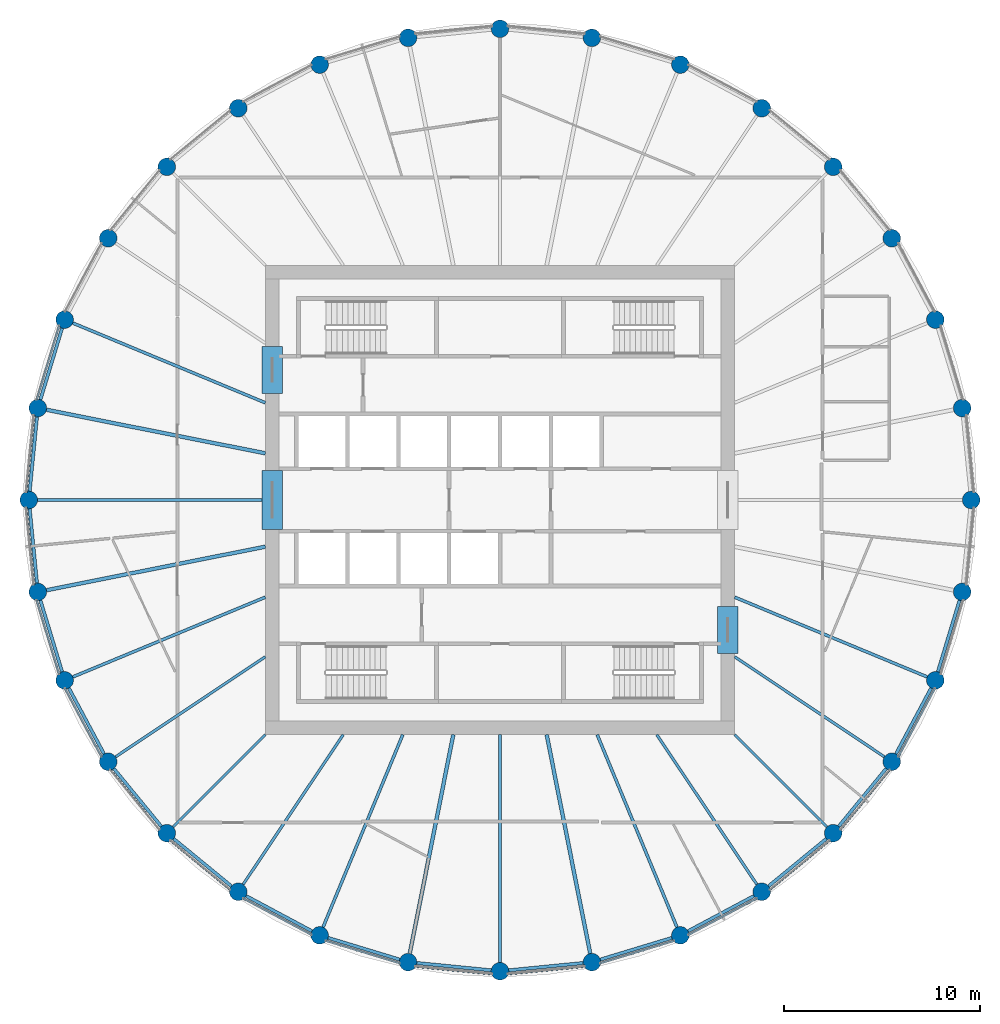
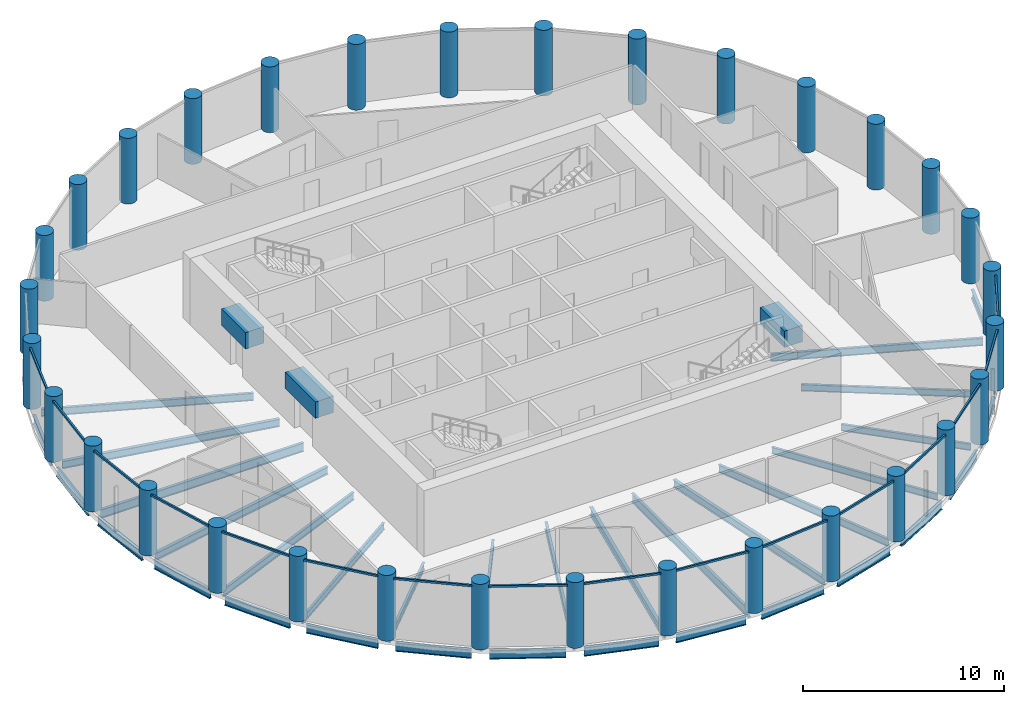
# One storey, part 1 of 7: 37 beams, 32 columns, 16 members, 16 elements without a shape of their own.
"""IFC4 building model written with IfcOpenShell, lengths in metres."""

from ifc_helpers import new_model, si_unit, direction, frame, origin, origin_2d, place, context, subcontext, project, spatial, rectangle, circle, i_section, extrude, material, material_profile, profile_set, type_object, element, aggregate, save


model = new_model("IFC4")

# Units and contexts
model_context = context("Model", 3, precision=1e-05, world=origin(), true_north=direction((0.0, 1.0)))
body_context = subcontext(model_context, "Body", "Model", "MODEL_VIEW")
ifc_project = project(units=[si_unit("LENGTHUNIT", "METRE"), si_unit("AREAUNIT", "SQUARE_METRE"), si_unit("VOLUMEUNIT", "CUBIC_METRE"), si_unit("PLANEANGLEUNIT", "RADIAN"), si_unit("MASSUNIT", "GRAM", prefix="KILO")], contexts=[model_context])

# Site, building, storey
site_placement = place(None, origin())
site = spatial("IfcSite", under=ifc_project, at=site_placement, CompositionType="ELEMENT")
building_placement = place(site_placement, origin())
building = spatial("IfcBuilding", under=site, at=building_placement, Name="Corvane Civic Tower", CompositionType="ELEMENT")
storey_placement = place(building_placement, frame((0.0, 0.0, 283.0)))
storey = spatial("IfcBuildingStorey", under=building, at=storey_placement, Name="L67", CompositionType="ELEMENT", Elevation=283.0)

# Columns
ifc_material_1 = material(Name="Concrete C60/75", Category="concrete")
ifc_material_profile_1 = material_profile(ifc_material_1, circle(Radius=0.449951171875, at=origin_2d()), Name="COLUMN 900")
ifc_profile_set_1 = profile_set([ifc_material_profile_1], Name="Concrete C60/75")
column_type = type_object("IfcColumnType", Name="RC COLUMN COLUMN 900", PredefinedType="COLUMN", material=ifc_profile_set_1)
for number, where, z_axis, x_axis, name in (
    (1, (0.0, 24.10009765625, 0.0), (0.0, 0.0, 1.0), (1.0, 0.0, 0.0), "COL-L67-E01"),
    (2, (4.70166015625, 23.636962890625, 0.0), (0.0, 0.0, 1.0), (1.0, 0.0, 0.0), "COL-L67-E02"),
    (3, (9.22265625, 22.265380859375, 0.0), (0.0, 0.0, 1.0), (1.0, 0.0, 0.0), "COL-L67-E03"),
    (4, (13.38916015625, 20.038330078125, 0.0), (0.0, 0.0, 1.0), (1.0, 0.0, 0.0), "COL-L67-E04"),
    (5, (17.041259765625, 17.041259765625, 0.0), (0.0, 0.0, 1.0), (1.0, 0.0, 0.0), "COL-L67-E05"),
    (6, (20.038330078125, 13.38916015625, 0.0), (0.0, 0.0, 1.0), (1.0, 0.0, 0.0), "COL-L67-E06"),
    (7, (22.265380859375, 9.22265625, 0.0), (0.0, 0.0, 1.0), (1.0, 0.0, 0.0), "COL-L67-E07"),
    (8, (23.636962890625, 4.70166015625, 0.0), (0.0, 0.0, 1.0), (1.0, 0.0, 0.0), "COL-L67-E08"),
    (9, (24.10009765625, 0.0, 0.0), (0.0, 0.0, 1.0), (1.0, 0.0, 0.0), "COL-L67-E09"),
    (10, (23.636962890625, -4.70166015625, 0.0), (0.0, 0.0, 1.0), (1.0, 0.0, 0.0), "COL-L67-E10"),
    (11, (22.265380859375, -9.22265625, 0.0), (0.0, 0.0, 1.0), (1.0, 0.0, 0.0), "COL-L67-E11"),
    (12, (20.038330078125, -13.38916015625, 0.0), (0.0, 0.0, 1.0), (1.0, 0.0, 0.0), "COL-L67-E12"),
    (13, (17.041259765625, -17.041259765625, 0.0), (0.0, 0.0, 1.0), (1.0, 0.0, 0.0), "COL-L67-E13"),
    (14, (13.38916015625, -20.038330078125, 0.0), (0.0, 0.0, 1.0), (1.0, 0.0, 0.0), "COL-L67-E14"),
    (15, (9.22265625, -22.265380859375, 0.0), (0.0, 0.0, 1.0), (1.0, 0.0, 0.0), "COL-L67-E15"),
    (16, (4.70166015625, -23.636962890625, 0.0), (0.0, 0.0, 1.0), (1.0, 0.0, 0.0), "COL-L67-E16"),
    (17, (0.0, -24.10009765625, 0.0), (0.0, 0.0, 1.0), (1.0, 0.0, 0.0), "COL-L67-E17"),
    (18, (-4.70166015625, -23.636962890625, 0.0), (0.0, 0.0, 1.0), (1.0, 0.0, 0.0), "COL-L67-E18"),
    (19, (-9.22265625, -22.265380859375, 0.0), (0.0, 0.0, 1.0), (1.0, 0.0, 0.0), "COL-L67-E19"),
    (20, (-13.38916015625, -20.038330078125, 0.0), (0.0, 0.0, 1.0), (1.0, 0.0, 0.0), "COL-L67-E20"),
    (21, (-17.041259765625, -17.041259765625, 0.0), (0.0, 0.0, 1.0), (1.0, 0.0, 0.0), "COL-L67-E21"),
    (22, (-20.038330078125, -13.38916015625, 0.0), (0.0, 0.0, 1.0), (1.0, 0.0, 0.0), "COL-L67-E22"),
    (23, (-22.265380859375, -9.22265625, 0.0), (0.0, 0.0, 1.0), (1.0, 0.0, 0.0), "COL-L67-E23"),
    (24, (-23.636962890625, -4.70166015625, 0.0), (0.0, 0.0, 1.0), (1.0, 0.0, 0.0), "COL-L67-E24"),
    (25, (-24.10009765625, 0.0, 0.0), (0.0, 0.0, 1.0), (1.0, 0.0, 0.0), "COL-L67-E25"),
    (26, (-23.636962890625, 4.70166015625, 0.0), (0.0, 0.0, 1.0), (1.0, 0.0, 0.0), "COL-L67-E26"),
    (27, (-22.265380859375, 9.22265625, 0.0), (0.0, 0.0, 1.0), (1.0, 0.0, 0.0), "COL-L67-E27"),
    (28, (-20.038330078125, 13.38916015625, 0.0), (0.0, 0.0, 1.0), (1.0, 0.0, 0.0), "COL-L67-E28"),
    (29, (-17.041259765625, 17.041259765625, 0.0), (0.0, 0.0, 1.0), (1.0, 0.0, 0.0), "COL-L67-E29"),
    (30, (-13.38916015625, 20.038330078125, 0.0), (0.0, 0.0, 1.0), (1.0, 0.0, 0.0), "COL-L67-E30"),
    (31, (-9.22265625, 22.265380859375, 0.0), (0.0, 0.0, 1.0), (1.0, 0.0, 0.0), "COL-L67-E31"),
    (32, (-4.70166015625, 23.636962890625, 0.0), (0.0, 0.0, 1.0), (1.0, 0.0, 0.0), "COL-L67-E32"),
):
    element("IfcColumn", number, at=place(storey_placement, frame(where, z_axis=z_axis, x_axis=x_axis)), inside=storey, type_object=column_type, Name=name, PredefinedType="COLUMN", context=body_context, shape_type="SweptSolid", body=[
        extrude(circle(Radius=0.449951171875, at=origin_2d()), origin(), (0.0, 0.0, 1.0), 4.0),
    ])

# Beams
ifc_material_2 = material(Name="Concrete C40/50", Category="concrete")
ifc_material_profile_2 = material_profile(ifc_material_2, rectangle(XDim=1.050048828125, YDim=1.0, at=origin_2d()), Name="COUPLING BEAM 1050X1000")
ifc_profile_set_2 = profile_set([ifc_material_profile_2], Name="Concrete C40/50")
beam_type_1 = type_object("IfcBeamType", Name="COUPLING BEAM COUPLING BEAM 1050X1000", PredefinedType="BEAM", material=ifc_profile_set_2)
beam_1_placement = place(storey_placement, frame((-11.64990234375, -1.5, 2.60009765625), z_axis=(0.0, 1.0, 0.0), x_axis=(-1.0, 0.0, 0.0)))
element("IfcBeam", 33, at=beam_1_placement, inside=storey, type_object=beam_type_1, Name="BM-L67-cpl-CW-LW", PredefinedType="BEAM", context=body_context, shape_type="SweptSolid", body=[
    extrude(rectangle(XDim=1.050048828125, YDim=1.0, at=origin_2d()), origin(), (0.0, 0.0, 1.0), 3.0),
])
for number, where, z_axis, x_axis, name in (
    (34, (-11.64990234375, 5.449951171875, 2.60009765625), (0.0, 1.0, 0.0), (-1.0, 0.0, 0.0), "BM-L67-cpl-CW-WN"),
    (35, (11.64990234375, -7.85009765625, 2.60009765625), (0.0, 1.0, 0.0), (-1.0, 0.0, 0.0), "BM-L67-cpl-CW-ES"),
):
    element("IfcBeam", number, at=place(storey_placement, frame(where, z_axis=z_axis, x_axis=x_axis)), inside=storey, type_object=beam_type_1, Name=name, PredefinedType="BEAM", context=body_context, shape_type="SweptSolid", body=[
        extrude(rectangle(XDim=1.050048828125, YDim=1.0, at=origin_2d()), origin(), (0.0, 0.0, 1.0), 2.400146484375),
    ])
ifc_material_3 = material(Name="Steel ASTM A992 Gr 50", Category="steel")
ifc_material_profile_3 = material_profile(ifc_material_3, i_section(OverallWidth=0.165771484375, OverallDepth=0.5283203125, WebThickness=0.009765625, FlangeThickness=0.013671875, at=origin_2d()), Name="W21X50")
ifc_profile_set_3 = profile_set([ifc_material_profile_3], Name="Steel ASTM A992 Gr 50")
beam_type_2 = type_object("IfcBeamType", Name="EDGE BEAM W21X50", PredefinedType="BEAM", material=ifc_profile_set_3)
beam_2_placement = place(storey_placement, frame((23.50634765625, -5.13232421875, -0.564208984375), z_axis=(-0.290333385085, -0.95692555902, 0.0), x_axis=(0.95692555902, -0.290333385085, 0.0)))
element("IfcBeam", 36, at=beam_2_placement, inside=storey, type_object=beam_type_2, Name="BM-L67-E10", PredefinedType="BEAM", context=body_context, shape_type="SweptSolid", body=[
    extrude(i_section(OverallWidth=0.165771484375, OverallDepth=0.5283203125, WebThickness=0.009765625, FlangeThickness=0.013671875, at=origin_2d()), origin(), (0.0, 0.0, 1.0), 3.824462890625),
])
beam_3_placement = place(storey_placement, frame((22.05322265625, -9.61962890625, -0.564208984375), z_axis=(-0.471409804487, -0.881914279413, 0.0), x_axis=(0.881914279413, -0.471409804487, 0.0)))
element("IfcBeam", 37, at=beam_3_placement, inside=storey, type_object=beam_type_2, Name="BM-L67-E11", PredefinedType="BEAM", context=body_context, shape_type="SweptSolid", body=[
    extrude(i_section(OverallWidth=0.165771484375, OverallDepth=0.5283203125, WebThickness=0.009765625, FlangeThickness=0.013671875, at=origin_2d()), origin(), (0.0, 0.0, 1.0), 3.82421875),
])
for number, where, z_axis, x_axis, name in (
    (38, (19.7529296875, -13.737060546875, -0.564208984375), (-0.634408562057, -0.772997914867, 0.0), (0.772997914867, -0.634408562057, 0.0), "BM-L67-E12"),
    (39, (16.693359375, -17.32666015625, -0.564208984375), (-0.772997914867, -0.634408562057, 0.0), (0.634408562057, -0.772997914867, 0.0), "BM-L67-E13"),
):
    element("IfcBeam", number, at=place(storey_placement, frame(where, z_axis=z_axis, x_axis=x_axis)), inside=storey, type_object=beam_type_2, Name=name, PredefinedType="BEAM", context=body_context, shape_type="SweptSolid", body=[
        extrude(i_section(OverallWidth=0.165771484375, OverallDepth=0.5283203125, WebThickness=0.009765625, FlangeThickness=0.013671875, at=origin_2d()), origin(), (0.0, 0.0, 1.0), 3.824462890625),
    ])
beam_4_placement = place(storey_placement, frame((12.9921875, -20.25048828125, -0.564208984375), z_axis=(-0.881914279413, -0.471409804487, 0.0), x_axis=(0.471409804487, -0.881914279413, 0.0)))
element("IfcBeam", 40, at=beam_4_placement, inside=storey, type_object=beam_type_2, Name="BM-L67-E14", PredefinedType="BEAM", context=body_context, shape_type="SweptSolid", body=[
    extrude(i_section(OverallWidth=0.165771484375, OverallDepth=0.5283203125, WebThickness=0.009765625, FlangeThickness=0.013671875, at=origin_2d()), origin(), (0.0, 0.0, 1.0), 3.82421875),
])
for number, where, z_axis, x_axis, name in (
    (41, (8.7919921875, -22.39599609375, -0.564208984375), (-0.95692555902, -0.290333385085, 0.0), (0.290333385085, -0.95692555902, 0.0), "BM-L67-E15"),
    (42, (4.25390625, -23.68115234375, -0.564208984375), (-0.995187721162, -0.097986732007, 0.0), (0.097986732007, -0.995187721162, 0.0), "BM-L67-E16"),
    (43, (-0.44775390625, -24.055908203125, -0.564208984375), (-0.995187721162, 0.097986732007, 0.0), (-0.097986732007, -0.995187721162, 0.0), "BM-L67-E17"),
    (44, (-5.13232421875, -23.50634765625, -0.564208984375), (-0.95692555902, 0.290333385085, 0.0), (-0.290333385085, -0.95692555902, 0.0), "BM-L67-E18"),
):
    element("IfcBeam", number, at=place(storey_placement, frame(where, z_axis=z_axis, x_axis=x_axis)), inside=storey, type_object=beam_type_2, Name=name, PredefinedType="BEAM", context=body_context, shape_type="SweptSolid", body=[
        extrude(i_section(OverallWidth=0.165771484375, OverallDepth=0.5283203125, WebThickness=0.009765625, FlangeThickness=0.013671875, at=origin_2d()), origin(), (0.0, 0.0, 1.0), 3.824462890625),
    ])
beam_5_placement = place(storey_placement, frame((-9.61962890625, -22.05322265625, -0.564208984375), z_axis=(-0.881914279413, 0.471409804487, 0.0), x_axis=(-0.471409804487, -0.881914279413, 0.0)))
element("IfcBeam", 45, at=beam_5_placement, inside=storey, type_object=beam_type_2, Name="BM-L67-E19", PredefinedType="BEAM", context=body_context, shape_type="SweptSolid", body=[
    extrude(i_section(OverallWidth=0.165771484375, OverallDepth=0.5283203125, WebThickness=0.009765625, FlangeThickness=0.013671875, at=origin_2d()), origin(), (0.0, 0.0, 1.0), 3.82421875),
])
for number, where, z_axis, x_axis, name in (
    (46, (-13.737060546875, -19.7529296875, -0.564208984375), (-0.772997914867, 0.634408562057, 0.0), (-0.634408562057, -0.772997914867, 0.0), "BM-L67-E20"),
    (47, (-17.32666015625, -16.693359375, -0.564208984375), (-0.634408562057, 0.772997914867, 0.0), (-0.772997914867, -0.634408562057, 0.0), "BM-L67-E21"),
):
    element("IfcBeam", number, at=place(storey_placement, frame(where, z_axis=z_axis, x_axis=x_axis)), inside=storey, type_object=beam_type_2, Name=name, PredefinedType="BEAM", context=body_context, shape_type="SweptSolid", body=[
        extrude(i_section(OverallWidth=0.165771484375, OverallDepth=0.5283203125, WebThickness=0.009765625, FlangeThickness=0.013671875, at=origin_2d()), origin(), (0.0, 0.0, 1.0), 3.824462890625),
    ])
beam_6_placement = place(storey_placement, frame((-20.25048828125, -12.9921875, -0.564208984375), z_axis=(-0.471409804487, 0.881914279413, 0.0), x_axis=(-0.881914279413, -0.471409804487, 0.0)))
element("IfcBeam", 48, at=beam_6_placement, inside=storey, type_object=beam_type_2, Name="BM-L67-E22", PredefinedType="BEAM", context=body_context, shape_type="SweptSolid", body=[
    extrude(i_section(OverallWidth=0.165771484375, OverallDepth=0.5283203125, WebThickness=0.009765625, FlangeThickness=0.013671875, at=origin_2d()), origin(), (0.0, 0.0, 1.0), 3.82421875),
])
for number, where, z_axis, x_axis, name in (
    (49, (-22.39599609375, -8.7919921875, -0.564208984375), (-0.290333385085, 0.95692555902, 0.0), (-0.95692555902, -0.290333385085, 0.0), "BM-L67-E23"),
    (50, (-23.68115234375, -4.25390625, -0.564208984375), (-0.097986732007, 0.995187721162, 0.0), (-0.995187721162, -0.097986732007, 0.0), "BM-L67-E24"),
    (51, (-24.055908203125, 0.44775390625, -0.564208984375), (0.097986732007, 0.995187721162, 0.0), (-0.995187721162, 0.097986732007, 0.0), "BM-L67-E25"),
    (52, (-23.50634765625, 5.13232421875, -0.564208984375), (0.290333385085, 0.95692555902, 0.0), (-0.95692555902, 0.290333385085, 0.0), "BM-L67-E26"),
):
    element("IfcBeam", number, at=place(storey_placement, frame(where, z_axis=z_axis, x_axis=x_axis)), inside=storey, type_object=beam_type_2, Name=name, PredefinedType="BEAM", context=body_context, shape_type="SweptSolid", body=[
        extrude(i_section(OverallWidth=0.165771484375, OverallDepth=0.5283203125, WebThickness=0.009765625, FlangeThickness=0.013671875, at=origin_2d()), origin(), (0.0, 0.0, 1.0), 3.824462890625),
    ])
ifc_material_4 = material(Name="Steel ASTM A992 Gr 50", Category="steel")
ifc_material_profile_4 = material_profile(ifc_material_4, i_section(OverallWidth=0.140380859375, OverallDepth=0.40380859375, WebThickness=0.007080078125, FlangeThickness=0.01123046875, at=origin_2d()), Name="W16X31")
ifc_profile_set_4 = profile_set([ifc_material_profile_4], Name="Steel ASTM A992 Gr 50")
beam_type_3 = type_object("IfcBeamType", Name="FLOOR GIRDER W16X31", PredefinedType="BEAM", material=ifc_profile_set_4)
beam_7_placement = place(storey_placement, frame((12.0, -8.01806640625, -0.501953125), z_axis=(0.831471227061, -0.555567816355, 0.0), x_axis=(0.555567816355, 0.831471227061, 0.0)))
element("IfcBeam", 53, at=beam_7_placement, inside=storey, type_object=beam_type_3, Name="BM-L67-G12", PredefinedType="BEAM", context=body_context, shape_type="SweptSolid", body=[
    extrude(i_section(OverallWidth=0.140380859375, OverallDepth=0.40380859375, WebThickness=0.007080078125, FlangeThickness=0.01123046875, at=origin_2d()), origin(), (0.0, 0.0, 1.0), 9.2177734375),
])
beam_8_placement = place(storey_placement, frame((12.0, -12.0, -0.501953125), z_axis=(0.707106781187, -0.707106781187, 0.0), x_axis=(0.707106781187, 0.707106781187, 0.0)))
element("IfcBeam", 54, at=beam_8_placement, inside=storey, type_object=beam_type_3, Name="BM-L67-G13", PredefinedType="BEAM", context=body_context, shape_type="SweptSolid", body=[
    extrude(i_section(OverallWidth=0.140380859375, OverallDepth=0.40380859375, WebThickness=0.007080078125, FlangeThickness=0.01123046875, at=origin_2d()), origin(), (0.0, 0.0, 1.0), 6.679443359375),
])
for number, where, z_axis, x_axis, name in (
    (55, (8.01806640625, -12.0, -0.501953125), (0.555567816355, -0.831471227061, 0.0), (0.831471227061, 0.555567816355, 0.0), "BM-L67-G14"),
    (56, (-8.01806640625, -12.0, -0.501953125), (-0.555567816355, -0.831471227061, 0.0), (0.831471227061, -0.555567816355, 0.0), "BM-L67-G20"),
):
    element("IfcBeam", number, at=place(storey_placement, frame(where, z_axis=z_axis, x_axis=x_axis)), inside=storey, type_object=beam_type_3, Name=name, PredefinedType="BEAM", context=body_context, shape_type="SweptSolid", body=[
        extrude(i_section(OverallWidth=0.140380859375, OverallDepth=0.40380859375, WebThickness=0.007080078125, FlangeThickness=0.01123046875, at=origin_2d()), origin(), (0.0, 0.0, 1.0), 9.2177734375),
    ])
beam_9_placement = place(storey_placement, frame((-12.0, -12.0, -0.501953125), z_axis=(-0.707106781187, -0.707106781187, 0.0), x_axis=(0.707106781187, -0.707106781187, 0.0)))
element("IfcBeam", 57, at=beam_9_placement, inside=storey, type_object=beam_type_3, Name="BM-L67-G21", PredefinedType="BEAM", context=body_context, shape_type="SweptSolid", body=[
    extrude(i_section(OverallWidth=0.140380859375, OverallDepth=0.40380859375, WebThickness=0.007080078125, FlangeThickness=0.01123046875, at=origin_2d()), origin(), (0.0, 0.0, 1.0), 6.679443359375),
])
beam_10_placement = place(storey_placement, frame((-12.0, -8.01806640625, -0.501953125), z_axis=(-0.831471227061, -0.555567816355, 0.0), x_axis=(0.555567816355, -0.831471227061, 0.0)))
element("IfcBeam", 58, at=beam_10_placement, inside=storey, type_object=beam_type_3, Name="BM-L67-G22", PredefinedType="BEAM", context=body_context, shape_type="SweptSolid", body=[
    extrude(i_section(OverallWidth=0.140380859375, OverallDepth=0.40380859375, WebThickness=0.007080078125, FlangeThickness=0.01123046875, at=origin_2d()), origin(), (0.0, 0.0, 1.0), 9.2177734375),
])
ifc_material_5 = material(Name="Steel ASTM A992 Gr 50", Category="steel")
ifc_material_profile_5 = material_profile(ifc_material_5, i_section(OverallWidth=0.15283203125, OverallDepth=0.45458984375, WebThickness=0.008056640625, FlangeThickness=0.013427734375, at=origin_2d()), Name="W18X40")
ifc_profile_set_5 = profile_set([ifc_material_profile_5], Name="Steel ASTM A992 Gr 50")
beam_type_4 = type_object("IfcBeamType", Name="FLOOR GIRDER W18X40", PredefinedType="BEAM", material=ifc_profile_set_5)
for number, where, z_axis, x_axis, name in (
    (59, (12.0, -4.970458984375, -0.52734375), (0.923875048589, -0.382694257331, 0.0), (0.382694257331, 0.923875048589, 0.0), "BM-L67-G11"),
    (60, (4.970458984375, -12.0, -0.52734375), (0.382694257331, -0.923875048589, 0.0), (0.923875048589, 0.382694257331, 0.0), "BM-L67-G15"),
    (61, (-4.970458984375, -12.0, -0.52734375), (-0.382694257331, -0.923875048589, 0.0), (0.923875048589, -0.382694257331, 0.0), "BM-L67-G19"),
    (62, (-12.0, -4.970458984375, -0.52734375), (-0.923875048589, -0.382694257331, 0.0), (0.382694257331, -0.923875048589, 0.0), "BM-L67-G23"),
    (63, (-12.0, 4.970458984375, -0.52734375), (-0.923875048589, 0.382694257331, 0.0), (-0.382694257331, -0.923875048589, 0.0), "BM-L67-G27"),
):
    element("IfcBeam", number, at=place(storey_placement, frame(where, z_axis=z_axis, x_axis=x_axis)), inside=storey, type_object=beam_type_4, Name=name, PredefinedType="BEAM", context=body_context, shape_type="SweptSolid", body=[
        extrude(i_section(OverallWidth=0.15283203125, OverallDepth=0.45458984375, WebThickness=0.008056640625, FlangeThickness=0.013427734375, at=origin_2d()), origin(), (0.0, 0.0, 1.0), 10.661376953125),
    ])
ifc_material_6 = material(Name="Steel ASTM A992 Gr 50", Category="steel")
ifc_material_profile_6 = material_profile(ifc_material_6, i_section(OverallWidth=0.1904296875, OverallDepth=0.457275390625, WebThickness=0.009033203125, FlangeThickness=0.014404296875, at=origin_2d()), Name="W18X50")
ifc_profile_set_6 = profile_set([ifc_material_profile_6], Name="Steel ASTM A992 Gr 50")
beam_type_5 = type_object("IfcBeamType", Name="FLOOR GIRDER W18X50", PredefinedType="BEAM", material=ifc_profile_set_6)
for number, where, z_axis, x_axis, name in (
    (64, (2.386962890625, -12.0, -0.528564453125), (0.195079532402, -0.980787426529, 0.0), (0.980787426529, 0.195079532402, 0.0), "BM-L67-G16"),
    (65, (-2.386962890625, -12.0, -0.528564453125), (-0.195079532402, -0.980787426529, 0.0), (0.980787426529, -0.195079532402, 0.0), "BM-L67-G18"),
    (66, (-12.0, -2.386962890625, -0.528564453125), (-0.980787426529, -0.195079532402, 0.0), (0.195079532402, -0.980787426529, 0.0), "BM-L67-G24"),
    (67, (-12.0, 2.386962890625, -0.528564453125), (-0.980787426529, 0.195079532402, 0.0), (-0.195079532402, -0.980787426529, 0.0), "BM-L67-G26"),
):
    element("IfcBeam", number, at=place(storey_placement, frame(where, z_axis=z_axis, x_axis=x_axis)), inside=storey, type_object=beam_type_5, Name=name, PredefinedType="BEAM", context=body_context, shape_type="SweptSolid", body=[
        extrude(i_section(OverallWidth=0.1904296875, OverallDepth=0.457275390625, WebThickness=0.009033203125, FlangeThickness=0.014404296875, at=origin_2d()), origin(), (0.0, 0.0, 1.0), 11.414794921875),
    ])
ifc_material_7 = material(Name="Steel ASTM A992 Gr 50", Category="steel")
ifc_material_profile_7 = material_profile(ifc_material_7, i_section(OverallWidth=0.165771484375, OverallDepth=0.5283203125, WebThickness=0.009765625, FlangeThickness=0.013671875, at=origin_2d()), Name="W21X50")
ifc_profile_set_7 = profile_set([ifc_material_profile_7], Name="Steel ASTM A992 Gr 50")
beam_type_6 = type_object("IfcBeamType", Name="FLOOR GIRDER W21X50", PredefinedType="BEAM", material=ifc_profile_set_7)
for number, where, z_axis, x_axis, name in (
    (68, (0.0, -12.0, -0.564208984375), (0.0, -1.0, 0.0), (1.0, 0.0, 0.0), "BM-L67-G17"),
    (69, (-12.0, 0.0, -0.564208984375), (-1.0, 0.0, 0.0), (0.0, -1.0, 0.0), "BM-L67-G25"),
):
    element("IfcBeam", number, at=place(storey_placement, frame(where, z_axis=z_axis, x_axis=x_axis)), inside=storey, type_object=beam_type_6, Name=name, PredefinedType="BEAM", context=body_context, shape_type="SweptSolid", body=[
        extrude(i_section(OverallWidth=0.165771484375, OverallDepth=0.5283203125, WebThickness=0.009765625, FlangeThickness=0.013671875, at=origin_2d()), origin(), (0.0, 0.0, 1.0), 11.64990234375),
    ])

# Curtain wall, member
ifc_material_8 = material(Name="Anodised aluminium bronze", Category="aluminium")
curtain_wall_type = type_object("IfcCurtainWallType", Name="TOWER CW-T3 STICK CURTAIN WALL", PredefinedType="NOTDEFINED", material=ifc_material_8)
curtain_wall_1_placement = place(storey_placement, origin())
curtain_wall_1 = element("IfcCurtainWall", 70, at=curtain_wall_1_placement, inside=storey, type_object=curtain_wall_type, Name="Curtain wall CW-T3 L67 bay 11", PredefinedType="NOTDEFINED")
ifc_material_9 = material(Name="Anodised aluminium bronze", Category="aluminium")
ifc_material_profile_8 = material_profile(ifc_material_9, rectangle(XDim=0.10009765625, YDim=0.1201171875, at=origin_2d()), Name="TOWER CW-T3 TRANSOM 100x120")
ifc_profile_set_8 = profile_set([ifc_material_profile_8], Name="Anodised aluminium bronze")
member_type = type_object("IfcMemberType", Name="TOWER CW-T3 TRANSOM 100x120", PredefinedType="USERDEFINED", material=ifc_profile_set_8)
member_1_placement = place(storey_placement, frame((22.2431640625, -9.644775390625, 3.68994140625), z_axis=(-0.471468241052, -0.881883040816, 0.0), x_axis=(0.881883040816, -0.471468241052, 0.0)))
member_1 = element("IfcMember", 71, at=member_1_placement, type_object=member_type, Name="Transom CW-T3 L67 11.1", ObjectType="TRANSOM", PredefinedType="USERDEFINED", context=body_context, shape_type="SweptSolid", body=[
    extrude(rectangle(XDim=0.10009765625, YDim=0.1201171875, at=origin_2d()), origin(), (0.0, 0.0, 1.0), 3.958740234375),
])
aggregate(curtain_wall_1, [member_1])

curtain_wall_2_placement = place(storey_placement, origin())
curtain_wall_2 = element("IfcCurtainWall", 72, at=curtain_wall_2_placement, inside=storey, type_object=curtain_wall_type, Name="Curtain wall CW-T3 L67 bay 12", PredefinedType="NOTDEFINED")
member_2_placement = place(storey_placement, frame((19.93408203125, -13.798828125, 3.68994140625), z_axis=(-0.634415838373, -0.772991943051, 0.0), x_axis=(0.772991943051, -0.634415838373, 0.0)))
member_2 = element("IfcMember", 73, at=member_2_placement, type_object=member_type, Name="Transom CW-T3 L67 12.1", ObjectType="TRANSOM", PredefinedType="USERDEFINED", context=body_context, shape_type="SweptSolid", body=[
    extrude(rectangle(XDim=0.10009765625, YDim=0.1201171875, at=origin_2d()), origin(), (0.0, 0.0, 1.0), 3.958740234375),
])
aggregate(curtain_wall_2, [member_2])

curtain_wall_3_placement = place(storey_placement, origin())
curtain_wall_3 = element("IfcCurtainWall", 74, at=curtain_wall_3_placement, inside=storey, type_object=curtain_wall_type, Name="Curtain wall CW-T3 L67 bay 13", PredefinedType="NOTDEFINED")
member_3_placement = place(storey_placement, frame((16.85888671875, -17.422607421875, 3.68994140625), z_axis=(-0.772991943051, -0.634415838373, 0.0), x_axis=(0.634415838373, -0.772991943051, 0.0)))
member_3 = element("IfcMember", 75, at=member_3_placement, type_object=member_type, Name="Transom CW-T3 L67 13.1", ObjectType="TRANSOM", PredefinedType="USERDEFINED", context=body_context, shape_type="SweptSolid", body=[
    extrude(rectangle(XDim=0.10009765625, YDim=0.1201171875, at=origin_2d()), origin(), (0.0, 0.0, 1.0), 3.958740234375),
])
aggregate(curtain_wall_3, [member_3])

curtain_wall_4_placement = place(storey_placement, origin())
curtain_wall_4 = element("IfcCurtainWall", 76, at=curtain_wall_4_placement, inside=storey, type_object=curtain_wall_type, Name="Curtain wall CW-T3 L67 bay 14", PredefinedType="NOTDEFINED")
member_4_placement = place(storey_placement, frame((13.135986328125, -20.376708984375, 3.68994140625), z_axis=(-0.881883040816, -0.471468241052, 0.0), x_axis=(0.471468241052, -0.881883040816, 0.0)))
member_4 = element("IfcMember", 77, at=member_4_placement, type_object=member_type, Name="Transom CW-T3 L67 14.1", ObjectType="TRANSOM", PredefinedType="USERDEFINED", context=body_context, shape_type="SweptSolid", body=[
    extrude(rectangle(XDim=0.10009765625, YDim=0.1201171875, at=origin_2d()), origin(), (0.0, 0.0, 1.0), 3.958740234375),
])
aggregate(curtain_wall_4, [member_4])

curtain_wall_5_placement = place(storey_placement, origin())
curtain_wall_5 = element("IfcCurtainWall", 78, at=curtain_wall_5_placement, inside=storey, type_object=curtain_wall_type, Name="Curtain wall CW-T3 L67 bay 15", PredefinedType="NOTDEFINED")
member_5_placement = place(storey_placement, frame((8.908447265625, -22.548095703125, 3.68994140625), z_axis=(-0.956946054205, -0.290265825309, 0.0), x_axis=(0.290265825309, -0.956946054205, 0.0)))
member_5 = element("IfcMember", 79, at=member_5_placement, type_object=member_type, Name="Transom CW-T3 L67 15.1", ObjectType="TRANSOM", PredefinedType="USERDEFINED", context=body_context, shape_type="SweptSolid", body=[
    extrude(rectangle(XDim=0.10009765625, YDim=0.1201171875, at=origin_2d()), origin(), (0.0, 0.0, 1.0), 3.958984375),
])
aggregate(curtain_wall_5, [member_5])

curtain_wall_6_placement = place(storey_placement, origin())
curtain_wall_6 = element("IfcCurtainWall", 80, at=curtain_wall_6_placement, inside=storey, type_object=curtain_wall_type, Name="Curtain wall CW-T3 L67 bay 16", PredefinedType="NOTDEFINED")
member_6_placement = place(storey_placement, frame((4.338134765625, -23.852783203125, 3.68994140625), z_axis=(-0.995186866683, -0.097995409999, 0.0), x_axis=(0.097995409999, -0.995186866683, 0.0)))
member_6 = element("IfcMember", 81, at=member_6_placement, type_object=member_type, Name="Transom CW-T3 L67 16.1", ObjectType="TRANSOM", PredefinedType="USERDEFINED", context=body_context, shape_type="SweptSolid", body=[
    extrude(rectangle(XDim=0.10009765625, YDim=0.1201171875, at=origin_2d()), origin(), (0.0, 0.0, 1.0), 3.958740234375),
])
aggregate(curtain_wall_6, [member_6])

curtain_wall_7_placement = place(storey_placement, origin())
curtain_wall_7 = element("IfcCurtainWall", 82, at=curtain_wall_7_placement, inside=storey, type_object=curtain_wall_type, Name="Curtain wall CW-T3 L67 bay 17", PredefinedType="NOTDEFINED")
member_7_placement = place(storey_placement, frame((-0.3984375, -24.24072265625, 3.68994140625), z_axis=(-0.995186866683, 0.097995409999, 0.0), x_axis=(-0.097995409999, -0.995186866683, 0.0)))
member_7 = element("IfcMember", 83, at=member_7_placement, type_object=member_type, Name="Transom CW-T3 L67 17.1", ObjectType="TRANSOM", PredefinedType="USERDEFINED", context=body_context, shape_type="SweptSolid", body=[
    extrude(rectangle(XDim=0.10009765625, YDim=0.1201171875, at=origin_2d()), origin(), (0.0, 0.0, 1.0), 3.958740234375),
])
aggregate(curtain_wall_7, [member_7])

curtain_wall_8_placement = place(storey_placement, origin())
curtain_wall_8 = element("IfcCurtainWall", 84, at=curtain_wall_8_placement, inside=storey, type_object=curtain_wall_type, Name="Curtain wall CW-T3 L67 bay 18", PredefinedType="NOTDEFINED")
member_8_placement = place(storey_placement, frame((-5.119873046875, -23.697265625, 3.68994140625), z_axis=(-0.956946054205, 0.290265825309, 0.0), x_axis=(-0.290265825309, -0.956946054205, 0.0)))
member_8 = element("IfcMember", 85, at=member_8_placement, type_object=member_type, Name="Transom CW-T3 L67 18.1", ObjectType="TRANSOM", PredefinedType="USERDEFINED", context=body_context, shape_type="SweptSolid", body=[
    extrude(rectangle(XDim=0.10009765625, YDim=0.1201171875, at=origin_2d()), origin(), (0.0, 0.0, 1.0), 3.958984375),
])
aggregate(curtain_wall_8, [member_8])

curtain_wall_9_placement = place(storey_placement, origin())
curtain_wall_9 = element("IfcCurtainWall", 86, at=curtain_wall_9_placement, inside=storey, type_object=curtain_wall_type, Name="Curtain wall CW-T3 L67 bay 19", PredefinedType="NOTDEFINED")
member_9_placement = place(storey_placement, frame((-9.644775390625, -22.2431640625, 3.68994140625), z_axis=(-0.881883040816, 0.471468241052, 0.0), x_axis=(-0.471468241052, -0.881883040816, 0.0)))
member_9 = element("IfcMember", 87, at=member_9_placement, type_object=member_type, Name="Transom CW-T3 L67 19.1", ObjectType="TRANSOM", PredefinedType="USERDEFINED", context=body_context, shape_type="SweptSolid", body=[
    extrude(rectangle(XDim=0.10009765625, YDim=0.1201171875, at=origin_2d()), origin(), (0.0, 0.0, 1.0), 3.958740234375),
])
aggregate(curtain_wall_9, [member_9])

curtain_wall_10_placement = place(storey_placement, origin())
curtain_wall_10 = element("IfcCurtainWall", 88, at=curtain_wall_10_placement, inside=storey, type_object=curtain_wall_type, Name="Curtain wall CW-T3 L67 bay 20", PredefinedType="NOTDEFINED")
member_10_placement = place(storey_placement, frame((-13.798828125, -19.93408203125, 3.68994140625), z_axis=(-0.772991943051, 0.634415838373, 0.0), x_axis=(-0.634415838373, -0.772991943051, 0.0)))
member_10 = element("IfcMember", 89, at=member_10_placement, type_object=member_type, Name="Transom CW-T3 L67 20.1", ObjectType="TRANSOM", PredefinedType="USERDEFINED", context=body_context, shape_type="SweptSolid", body=[
    extrude(rectangle(XDim=0.10009765625, YDim=0.1201171875, at=origin_2d()), origin(), (0.0, 0.0, 1.0), 3.958740234375),
])
aggregate(curtain_wall_10, [member_10])

curtain_wall_11_placement = place(storey_placement, origin())
curtain_wall_11 = element("IfcCurtainWall", 90, at=curtain_wall_11_placement, inside=storey, type_object=curtain_wall_type, Name="Curtain wall CW-T3 L67 bay 21", PredefinedType="NOTDEFINED")
member_11_placement = place(storey_placement, frame((-17.422607421875, -16.85888671875, 3.68994140625), z_axis=(-0.634415838373, 0.772991943051, 0.0), x_axis=(-0.772991943051, -0.634415838373, 0.0)))
member_11 = element("IfcMember", 91, at=member_11_placement, type_object=member_type, Name="Transom CW-T3 L67 21.1", ObjectType="TRANSOM", PredefinedType="USERDEFINED", context=body_context, shape_type="SweptSolid", body=[
    extrude(rectangle(XDim=0.10009765625, YDim=0.1201171875, at=origin_2d()), origin(), (0.0, 0.0, 1.0), 3.958740234375),
])
aggregate(curtain_wall_11, [member_11])

curtain_wall_12_placement = place(storey_placement, origin())
curtain_wall_12 = element("IfcCurtainWall", 92, at=curtain_wall_12_placement, inside=storey, type_object=curtain_wall_type, Name="Curtain wall CW-T3 L67 bay 22", PredefinedType="NOTDEFINED")
member_12_placement = place(storey_placement, frame((-20.376708984375, -13.135986328125, 3.68994140625), z_axis=(-0.471468241052, 0.881883040816, 0.0), x_axis=(-0.881883040816, -0.471468241052, 0.0)))
member_12 = element("IfcMember", 93, at=member_12_placement, type_object=member_type, Name="Transom CW-T3 L67 22.1", ObjectType="TRANSOM", PredefinedType="USERDEFINED", context=body_context, shape_type="SweptSolid", body=[
    extrude(rectangle(XDim=0.10009765625, YDim=0.1201171875, at=origin_2d()), origin(), (0.0, 0.0, 1.0), 3.958740234375),
])
aggregate(curtain_wall_12, [member_12])

curtain_wall_13_placement = place(storey_placement, origin())
curtain_wall_13 = element("IfcCurtainWall", 94, at=curtain_wall_13_placement, inside=storey, type_object=curtain_wall_type, Name="Curtain wall CW-T3 L67 bay 23", PredefinedType="NOTDEFINED")
member_13_placement = place(storey_placement, frame((-22.548095703125, -8.908447265625, 3.68994140625), z_axis=(-0.290265825309, 0.956946054205, 0.0), x_axis=(-0.956946054205, -0.290265825309, 0.0)))
member_13 = element("IfcMember", 95, at=member_13_placement, type_object=member_type, Name="Transom CW-T3 L67 23.1", ObjectType="TRANSOM", PredefinedType="USERDEFINED", context=body_context, shape_type="SweptSolid", body=[
    extrude(rectangle(XDim=0.10009765625, YDim=0.1201171875, at=origin_2d()), origin(), (0.0, 0.0, 1.0), 3.958984375),
])
aggregate(curtain_wall_13, [member_13])

curtain_wall_14_placement = place(storey_placement, origin())
curtain_wall_14 = element("IfcCurtainWall", 96, at=curtain_wall_14_placement, inside=storey, type_object=curtain_wall_type, Name="Curtain wall CW-T3 L67 bay 24", PredefinedType="NOTDEFINED")
member_14_placement = place(storey_placement, frame((-23.852783203125, -4.338134765625, 3.68994140625), z_axis=(-0.097995409999, 0.995186866683, 0.0), x_axis=(-0.995186866683, -0.097995409999, 0.0)))
member_14 = element("IfcMember", 97, at=member_14_placement, type_object=member_type, Name="Transom CW-T3 L67 24.1", ObjectType="TRANSOM", PredefinedType="USERDEFINED", context=body_context, shape_type="SweptSolid", body=[
    extrude(rectangle(XDim=0.10009765625, YDim=0.1201171875, at=origin_2d()), origin(), (0.0, 0.0, 1.0), 3.958740234375),
])
aggregate(curtain_wall_14, [member_14])

curtain_wall_15_placement = place(storey_placement, origin())
curtain_wall_15 = element("IfcCurtainWall", 98, at=curtain_wall_15_placement, inside=storey, type_object=curtain_wall_type, Name="Curtain wall CW-T3 L67 bay 25", PredefinedType="NOTDEFINED")
member_15_placement = place(storey_placement, frame((-24.24072265625, 0.3984375, 3.68994140625), z_axis=(0.097995409999, 0.995186866683, 0.0), x_axis=(-0.995186866683, 0.097995409999, 0.0)))
member_15 = element("IfcMember", 99, at=member_15_placement, type_object=member_type, Name="Transom CW-T3 L67 25.1", ObjectType="TRANSOM", PredefinedType="USERDEFINED", context=body_context, shape_type="SweptSolid", body=[
    extrude(rectangle(XDim=0.10009765625, YDim=0.1201171875, at=origin_2d()), origin(), (0.0, 0.0, 1.0), 3.958740234375),
])
aggregate(curtain_wall_15, [member_15])

curtain_wall_16_placement = place(storey_placement, origin())
curtain_wall_16 = element("IfcCurtainWall", 100, at=curtain_wall_16_placement, inside=storey, type_object=curtain_wall_type, Name="Curtain wall CW-T3 L67 bay 26", PredefinedType="NOTDEFINED")
member_16_placement = place(storey_placement, frame((-23.697265625, 5.119873046875, 3.68994140625), z_axis=(0.290265825309, 0.956946054205, 0.0), x_axis=(-0.956946054205, 0.290265825309, 0.0)))
member_16 = element("IfcMember", 101, at=member_16_placement, type_object=member_type, Name="Transom CW-T3 L67 26.1", ObjectType="TRANSOM", PredefinedType="USERDEFINED", context=body_context, shape_type="SweptSolid", body=[
    extrude(rectangle(XDim=0.10009765625, YDim=0.1201171875, at=origin_2d()), origin(), (0.0, 0.0, 1.0), 3.958984375),
])
aggregate(curtain_wall_16, [member_16])

save(model, "model.ifc")
